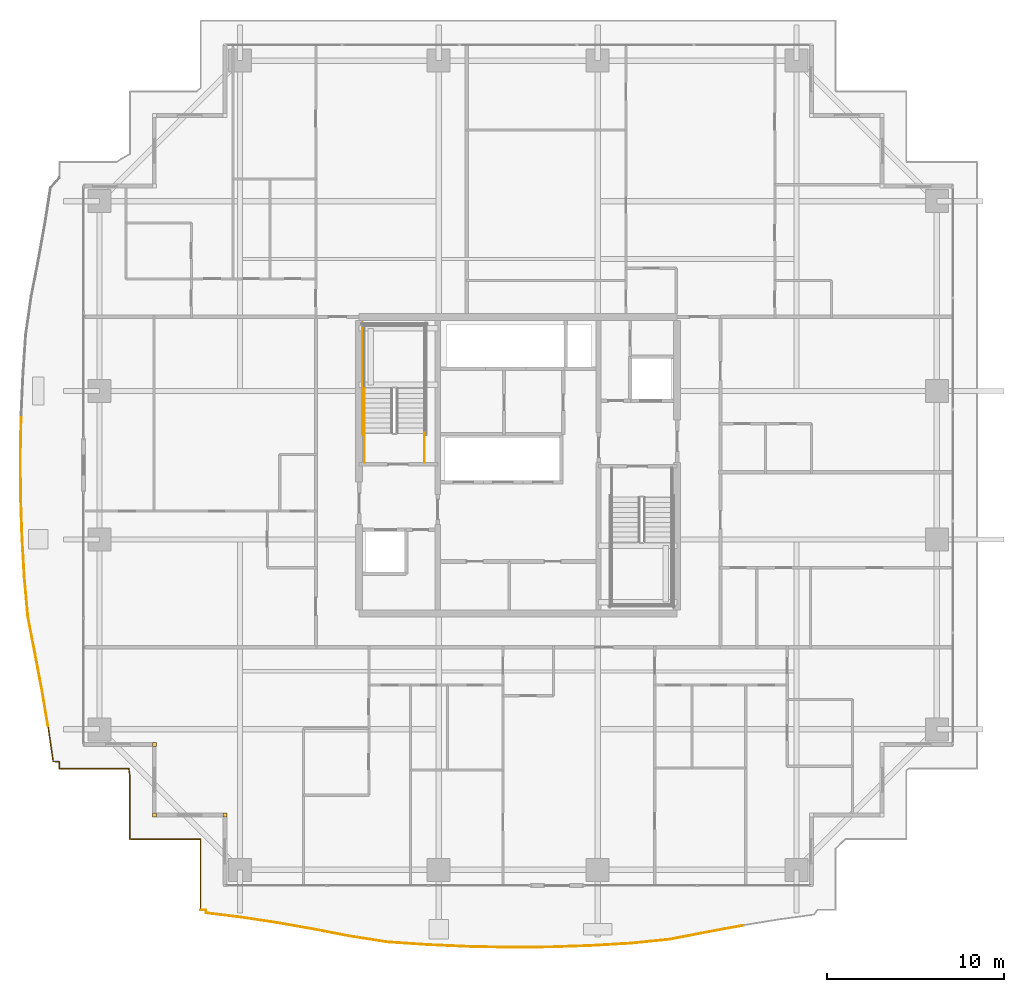
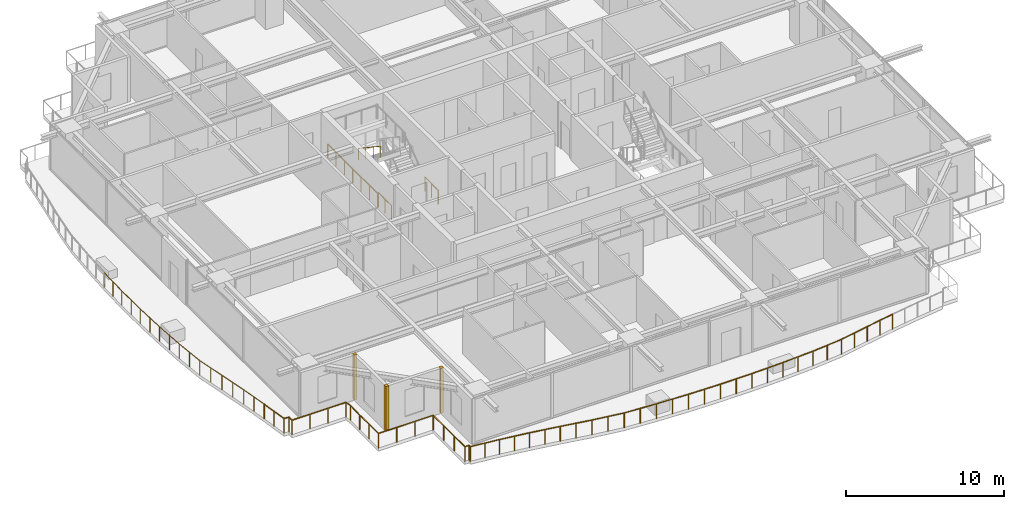
# One storey, part 30 of 34: 8 railings, 3 coverings.
"""IFC4 building model written with IfcOpenShell, lengths in metres."""

from ifc_helpers import new_model, si_unit, direction, frame, origin, origin_2d, place, context, subcontext, project, spatial, rectangle, circle, extrude, source, transform, mapped, material, layer, layer_set, type_object, element, save


model = new_model("IFC4")

# Units and contexts
model_context = context("Model", 3, precision=1e-05, world=origin(), true_north=direction((0.0, 1.0)))
body_context = subcontext(model_context, "Body", "Model", "MODEL_VIEW")
ifc_project = project(units=[si_unit("LENGTHUNIT", "METRE"), si_unit("AREAUNIT", "SQUARE_METRE"), si_unit("VOLUMEUNIT", "CUBIC_METRE"), si_unit("PLANEANGLEUNIT", "RADIAN"), si_unit("MASSUNIT", "GRAM", prefix="KILO")], contexts=[model_context])

# Site, building, storey
site_placement = place(None, origin())
site = spatial("IfcSite", under=ifc_project, at=site_placement, CompositionType="ELEMENT")
building_placement = place(site_placement, origin())
building = spatial("IfcBuilding", under=site, at=building_placement, Name="Serunith Strait Residences", CompositionType="ELEMENT")
storey_placement = place(building_placement, frame((0.0, 0.0, 187.64990234375)))
storey = spatial("IfcBuildingStorey", under=building, at=storey_placement, Name="L47", CompositionType="ELEMENT", Elevation=187.64990234375)

# Railings
ifc_material_1 = material(Name="Stainless Steel & Laminated Glass Balustrade", Category="steel")
railing_type_1 = type_object("IfcRailingType", Name="RLG-BALC-1150", PredefinedType="BALUSTRADE", material=ifc_material_1)
railing_1_placement = place(storey_placement, frame((14.419921875, 0.02001953125, -0.0498046875)))
element("IfcRailing", 1, at=railing_1_placement, inside=storey, type_object=railing_type_1, Name="L47 Swirling Balcony Perimeter Balustrade 1", PredefinedType="BALUSTRADE", context=body_context, shape_type="SweptSolid", body=[
    extrude(circle(Radius=0.02392578125, at=origin_2d()), frame((0.0, 0.001953125, 1.1259765625), z_axis=(0.0, 1.0, 0.0), x_axis=(-1.0, 0.0, 0.0)), (0.0, 0.0, 1.0), 3.99609375),
    extrude(circle(Radius=0.02392578125, at=origin_2d()), frame((-0.001953125, 4.0, 1.1259765625), z_axis=(-1.0, 0.0, 0.0), x_axis=(0.0, -1.0, 0.0)), (0.0, 0.0, 1.0), 3.99609375),
    extrude(circle(Radius=0.02392578125, at=origin_2d()), frame((-4.0, 4.001953125, 1.1259765625), z_axis=(0.0, 1.0, 0.0), x_axis=(-1.0, 0.0, 0.0)), (0.0, 0.0, 1.0), 3.547607421875),
    extrude(circle(Radius=0.02392578125, at=origin_2d()), frame((-4.000244140625, 7.553466796875, 1.1259765625), z_axis=(-0.148050860535, 0.988979748374, 0.0), x_axis=(-0.988979748374, -0.148050860535, 0.0)), (0.0, 0.0, 1.0), 0.449462890625),
    extrude(circle(Radius=0.02392578125, at=origin_2d()), frame((-4.069091796875, 8.0, 1.1259765625), z_axis=(-1.0, 0.0, 0.0), x_axis=(0.0, -1.0, 0.0)), (0.0, 0.0, 1.0), 3.928955078125),
    extrude(circle(Radius=0.02392578125, at=origin_2d()), frame((-8.0, 8.001953125, 1.1259765625), z_axis=(0.0, 1.0, 0.0), x_axis=(-1.0, 0.0, 0.0)), (0.0, 0.0, 1.0), 0.388671875),
    extrude(circle(Radius=0.02392578125, at=origin_2d()), frame((-8.001953125, 8.392578125, 1.1259765625), z_axis=(-0.998353067309, 0.057368571492, 0.0), x_axis=(-0.057368571492, -0.998353067309, 0.0)), (0.0, 0.0, 1.0), 0.344970703125),
    extrude(circle(Radius=0.02392578125, at=origin_2d()), frame((-8.3486328125, 8.41455078125, 1.1259765625), z_axis=(-0.141150651071, 0.989988128061, 0.0), x_axis=(-0.989988128061, -0.141150651071, 0.0)), (0.0, 0.0, 1.0), 2.01611328125),
    extrude(circle(Radius=0.02099609375, at=origin_2d()), origin(), (0.0, 0.0, 1.0), 1.099853515625),
    extrude(circle(Radius=0.02099609375, at=origin_2d()), frame((0.0, 1.333251953125, 0.0)), (0.0, 0.0, 1.0), 1.099853515625),
    extrude(circle(Radius=0.02099609375, at=origin_2d()), frame((0.0, 2.666748046875, 0.0)), (0.0, 0.0, 1.0), 1.099853515625),
    extrude(circle(Radius=0.02099609375, at=origin_2d()), frame((0.0, 4.0, 0.0)), (0.0, 0.0, 1.0), 1.099853515625),
    extrude(circle(Radius=0.02099609375, at=origin_2d()), frame((-1.333251953125, 4.0, 0.0)), (0.0, 0.0, 1.0), 1.099853515625),
    extrude(circle(Radius=0.02099609375, at=origin_2d()), frame((-2.666748046875, 4.0, 0.0)), (0.0, 0.0, 1.0), 1.099853515625),
    extrude(circle(Radius=0.02099609375, at=origin_2d()), frame((-4.0, 4.0, 0.0)), (0.0, 0.0, 1.0), 1.099853515625),
    extrude(circle(Radius=0.02099609375, at=origin_2d()), frame((-4.0, 5.183837890625, 0.0)), (0.0, 0.0, 1.0), 1.099853515625),
    extrude(circle(Radius=0.02099609375, at=origin_2d()), frame((-4.0, 6.36767578125, 0.0)), (0.0, 0.0, 1.0), 1.099853515625),
    extrude(circle(Radius=0.02099609375, at=origin_2d()), frame((-4.0, 7.551513671875, 0.0)), (0.0, 0.0, 1.0), 1.099853515625),
    extrude(circle(Radius=0.02099609375, at=origin_2d()), frame((-4.067138671875, 8.0, 0.0)), (0.0, 0.0, 1.0), 1.099853515625),
    extrude(circle(Radius=0.02099609375, at=origin_2d()), frame((-5.378173828125, 8.0, 0.0)), (0.0, 0.0, 1.0), 1.099853515625),
    extrude(circle(Radius=0.02099609375, at=origin_2d()), frame((-6.68896484375, 8.0, 0.0)), (0.0, 0.0, 1.0), 1.099853515625),
    extrude(circle(Radius=0.02099609375, at=origin_2d()), frame((-8.0, 8.0, 0.0)), (0.0, 0.0, 1.0), 1.099853515625),
    extrude(circle(Radius=0.02099609375, at=origin_2d()), frame((-8.0, 8.392578125, 0.0)), (0.0, 0.0, 1.0), 1.099853515625),
    extrude(circle(Radius=0.02099609375, at=origin_2d()), frame((-8.348388671875, 8.41259765625, 0.0)), (0.0, 0.0, 1.0), 1.099853515625),
    extrude(circle(Radius=0.02099609375, at=origin_2d()), frame((-8.490966796875, 9.41259765625, 0.0)), (0.0, 0.0, 1.0), 1.099853515625),
    extrude(circle(Radius=0.02099609375, at=origin_2d()), frame((-8.633544921875, 10.41259765625, 0.0)), (0.0, 0.0, 1.0), 1.099853515625),
])
railing_2_placement = place(storey_placement, frame((5.786376953125, 10.4326171875, -0.0498046875)))
element("IfcRailing", 2, at=railing_2_placement, inside=storey, type_object=railing_type_1, Name="L47 Swirling Balcony Perimeter Balustrade 2", PredefinedType="BALUSTRADE", context=body_context, shape_type="SweptSolid", body=[
    extrude(circle(Radius=0.02392578125, at=origin_2d()), frame((-0.000244140625, 0.001953125, 1.1259765625), z_axis=(-0.166446652276, 0.986050461156, 0.0), x_axis=(-0.986050461156, -0.166446652276, 0.0)), (0.0, 0.0, 1.0), 2.045166015625),
    extrude(circle(Radius=0.02392578125, at=origin_2d()), frame((-0.341552734375, 2.0224609375, 1.1259765625), z_axis=(-0.185119001729, 0.982716111193, 0.0), x_axis=(-0.982716111193, -0.185119001729, 0.0)), (0.0, 0.0, 1.0), 2.09033203125),
    extrude(circle(Radius=0.02392578125, at=origin_2d()), frame((-0.729248046875, 4.08056640625, 1.1259765625), z_axis=(-0.190053620548, 0.981773711869, 0.0), x_axis=(-0.981773711869, -0.190053620548, 0.0)), (0.0, 0.0, 1.0), 2.150146484375),
    extrude(circle(Radius=0.02392578125, at=origin_2d()), frame((-1.138427734375, 6.195556640625, 1.1259765625), z_axis=(-0.089975230269, 0.995944003415, 0.0), x_axis=(-0.995944003415, -0.089975230269, 0.0)), (0.0, 0.0, 1.0), 2.234619140625),
    extrude(circle(Radius=0.02392578125, at=origin_2d()), frame((-1.339599609375, 8.425048828125, 1.1259765625), z_axis=(-0.057489633796, 0.998346103316, 0.0), x_axis=(-0.998346103316, -0.057489633796, 0.0)), (0.0, 0.0, 1.0), 2.272216796875),
    extrude(circle(Radius=0.02392578125, at=origin_2d()), frame((-1.470458984375, 10.697509765625, 1.1259765625), z_axis=(-0.033774556181, 0.999429476929, 0.0), x_axis=(-0.999429476929, -0.033774556181, 0.0)), (0.0, 0.0, 1.0), 2.294677734375),
    extrude(circle(Radius=0.02392578125, at=origin_2d()), frame((-1.548095703125, 12.994873046875, 1.1259765625), z_axis=(-0.007083772357, 0.99997490977, 0.0), x_axis=(-0.99997490977, -0.007083772357, 0.0)), (0.0, 0.0, 1.0), 2.30517578125),
    extrude(circle(Radius=0.02392578125, at=origin_2d()), frame((-1.564453125, 15.303955078125, 1.1259765625), z_axis=(0.020012936591, 0.999799721129, 0.0), x_axis=(-0.999799721129, 0.020012936591, 0.0)), (0.0, 0.0, 1.0), 2.3017578125),
    extrude(circle(Radius=0.02099609375, at=origin_2d()), origin(), (0.0, 0.0, 1.0), 1.099853515625),
    extrude(circle(Radius=0.02099609375, at=origin_2d()), frame((-0.17041015625, 1.01025390625, 0.0)), (0.0, 0.0, 1.0), 1.099853515625),
    extrude(circle(Radius=0.02099609375, at=origin_2d()), frame((-0.341064453125, 2.0205078125, 0.0)), (0.0, 0.0, 1.0), 1.099853515625),
    extrude(circle(Radius=0.02099609375, at=origin_2d()), frame((-0.534912109375, 3.049560546875, 0.0)), (0.0, 0.0, 1.0), 1.099853515625),
    extrude(circle(Radius=0.02099609375, at=origin_2d()), frame((-0.728759765625, 4.07861328125, 0.0)), (0.0, 0.0, 1.0), 1.099853515625),
    extrude(circle(Radius=0.02099609375, at=origin_2d()), frame((-0.93359375, 5.13623046875, 0.0)), (0.0, 0.0, 1.0), 1.099853515625),
    extrude(circle(Radius=0.02099609375, at=origin_2d()), frame((-1.13818359375, 6.193603515625, 0.0)), (0.0, 0.0, 1.0), 1.099853515625),
    extrude(circle(Radius=0.02099609375, at=origin_2d()), frame((-1.23876953125, 7.308349609375, 0.0)), (0.0, 0.0, 1.0), 1.099853515625),
    extrude(circle(Radius=0.02099609375, at=origin_2d()), frame((-1.339599609375, 8.423095703125, 0.0)), (0.0, 0.0, 1.0), 1.099853515625),
    extrude(circle(Radius=0.02099609375, at=origin_2d()), frame((-1.405029296875, 9.559326171875, 0.0)), (0.0, 0.0, 1.0), 1.099853515625),
    extrude(circle(Radius=0.02099609375, at=origin_2d()), frame((-1.470458984375, 10.695556640625, 0.0)), (0.0, 0.0, 1.0), 1.099853515625),
    extrude(circle(Radius=0.02099609375, at=origin_2d()), frame((-1.50927734375, 11.84423828125, 0.0)), (0.0, 0.0, 1.0), 1.099853515625),
    extrude(circle(Radius=0.02099609375, at=origin_2d()), frame((-1.548095703125, 12.992919921875, 0.0)), (0.0, 0.0, 1.0), 1.099853515625),
    extrude(circle(Radius=0.02099609375, at=origin_2d()), frame((-1.55615234375, 14.1474609375, 0.0)), (0.0, 0.0, 1.0), 1.099853515625),
    extrude(circle(Radius=0.02099609375, at=origin_2d()), frame((-1.564453125, 15.302001953125, 0.0)), (0.0, 0.0, 1.0), 1.099853515625),
    extrude(circle(Radius=0.02099609375, at=origin_2d()), frame((-1.54150390625, 16.45458984375, 0.0)), (0.0, 0.0, 1.0), 1.099853515625),
    extrude(circle(Radius=0.02099609375, at=origin_2d()), frame((-1.518310546875, 17.607177734375, 0.0)), (0.0, 0.0, 1.0), 1.099853515625),
])
railing_3_placement = place(storey_placement, frame((45.1337890625, -0.851318359375, -0.0498046875)))
element("IfcRailing", 3, at=railing_3_placement, inside=storey, type_object=railing_type_1, Name="L47 Swirling Balcony Perimeter Balustrade 7", PredefinedType="BALUSTRADE", context=body_context, shape_type="SweptSolid", body=[
    extrude(circle(Radius=0.02392578125, at=origin_2d()), frame((-0.001953125, -0.000244140625, 1.1259765625), z_axis=(-0.983302150497, -0.181980440785, 0.0), x_axis=(0.181980440785, -0.983302150497, 0.0)), (0.0, 0.0, 1.0), 2.084716796875),
    extrude(circle(Radius=0.02392578125, at=origin_2d()), frame((-2.055908203125, -0.380615234375, 1.1259765625), z_axis=(-0.981895238701, -0.18942476136, 0.0), x_axis=(0.18942476136, -0.981895238701, 0.0)), (0.0, 0.0, 1.0), 2.14453125),
    extrude(circle(Radius=0.02392578125, at=origin_2d()), frame((-4.16552734375, -0.787353515625, 1.1259765625), z_axis=(-0.994837072176, -0.101484973396, 0.0), x_axis=(0.101484973396, -0.994837072176, 0.0)), (0.0, 0.0, 1.0), 2.228515625),
    extrude(circle(Radius=0.02392578125, at=origin_2d()), frame((-6.386474609375, -1.013671875, 1.1259765625), z_axis=(-0.998354018042, -0.057352024015, 0.0), x_axis=(0.057352024015, -0.998354018042, 0.0)), (0.0, 0.0, 1.0), 2.2734375),
    extrude(circle(Radius=0.02392578125, at=origin_2d()), frame((-8.66015625, -1.144287109375, 1.1259765625), z_axis=(-0.999430444937, -0.0337458995, 0.0), x_axis=(0.0337458995, -0.999430444937, 0.0)), (0.0, 0.0, 1.0), 2.296630859375),
    extrude(circle(Radius=0.02392578125, at=origin_2d()), frame((-10.95947265625, -1.221923828125, 1.1259765625), z_axis=(-0.999971878167, -0.007499525018, 0.0), x_axis=(0.007499525018, -0.999971878167, 0.0)), (0.0, 0.0, 1.0), 2.307373046875),
    extrude(circle(Radius=0.02392578125, at=origin_2d()), frame((-13.270751953125, -1.2392578125, 1.1259765625), z_axis=(-0.999808552626, 0.019566759995, 0.0), x_axis=(-0.019566759995, -0.999808552626, 0.0)), (0.0, 0.0, 1.0), 2.30419921875),
    extrude(circle(Radius=0.02392578125, at=origin_2d()), frame((-15.57861328125, -1.194091796875, 1.1259765625), z_axis=(-0.998998414803, 0.044745583259, 0.0), x_axis=(-0.044745583259, -0.998998414803, 0.0)), (0.0, 0.0, 1.0), 2.28759765625),
    extrude(circle(Radius=0.02099609375, at=origin_2d()), origin(), (0.0, 0.0, 1.0), 1.099853515625),
    extrude(circle(Radius=0.02099609375, at=origin_2d()), frame((-1.02685546875, -0.18994140625, 0.0)), (0.0, 0.0, 1.0), 1.099853515625),
    extrude(circle(Radius=0.02099609375, at=origin_2d()), frame((-2.053955078125, -0.380126953125, 0.0)), (0.0, 0.0, 1.0), 1.099853515625),
    extrude(circle(Radius=0.02099609375, at=origin_2d()), frame((-3.10888671875, -0.58349609375, 0.0)), (0.0, 0.0, 1.0), 1.099853515625),
    extrude(circle(Radius=0.02099609375, at=origin_2d()), frame((-4.16357421875, -0.787109375, 0.0)), (0.0, 0.0, 1.0), 1.099853515625),
    extrude(circle(Radius=0.02099609375, at=origin_2d()), frame((-5.27392578125, -0.900390625, 0.0)), (0.0, 0.0, 1.0), 1.099853515625),
    extrude(circle(Radius=0.02099609375, at=origin_2d()), frame((-6.384521484375, -1.013671875, 0.0)), (0.0, 0.0, 1.0), 1.099853515625),
    extrude(circle(Radius=0.02099609375, at=origin_2d()), frame((-7.521484375, -1.0791015625, 0.0)), (0.0, 0.0, 1.0), 1.099853515625),
    extrude(circle(Radius=0.02099609375, at=origin_2d()), frame((-8.658203125, -1.144287109375, 0.0)), (0.0, 0.0, 1.0), 1.099853515625),
    extrude(circle(Radius=0.02099609375, at=origin_2d()), frame((-9.807861328125, -1.18310546875, 0.0)), (0.0, 0.0, 1.0), 1.099853515625),
    extrude(circle(Radius=0.02099609375, at=origin_2d()), frame((-10.95751953125, -1.221923828125, 0.0)), (0.0, 0.0, 1.0), 1.099853515625),
    extrude(circle(Radius=0.02099609375, at=origin_2d()), frame((-12.11328125, -1.23046875, 0.0)), (0.0, 0.0, 1.0), 1.099853515625),
    extrude(circle(Radius=0.02099609375, at=origin_2d()), frame((-13.268798828125, -1.2392578125, 0.0)), (0.0, 0.0, 1.0), 1.099853515625),
    extrude(circle(Radius=0.02099609375, at=origin_2d()), frame((-14.4228515625, -1.216796875, 0.0)), (0.0, 0.0, 1.0), 1.099853515625),
    extrude(circle(Radius=0.02099609375, at=origin_2d()), frame((-15.57666015625, -1.194091796875, 0.0)), (0.0, 0.0, 1.0), 1.099853515625),
    extrude(circle(Radius=0.02099609375, at=origin_2d()), frame((-16.72119140625, -1.142822265625, 0.0)), (0.0, 0.0, 1.0), 1.099853515625),
    extrude(circle(Radius=0.02099609375, at=origin_2d()), frame((-17.865966796875, -1.091552734375, 0.0)), (0.0, 0.0, 1.0), 1.099853515625),
])
railing_4_placement = place(storey_placement, frame((27.267822265625, -1.94287109375, -0.0498046875)))
element("IfcRailing", 4, at=railing_4_placement, inside=storey, type_object=railing_type_1, Name="L47 Swirling Balcony Perimeter Balustrade 8", PredefinedType="BALUSTRADE", context=body_context, shape_type="SweptSolid", body=[
    extrude(circle(Radius=0.02392578125, at=origin_2d()), frame((-0.001953125, 0.000244140625, 1.1259765625), z_axis=(-0.997790404454, 0.066440264744, 0.0), x_axis=(-0.066440264744, -0.997790404454, 0.0)), (0.0, 0.0, 1.0), 2.259521484375),
    extrude(circle(Radius=0.02392578125, at=origin_2d()), frame((-2.260498046875, 0.150634765625, 1.1259765625), z_axis=(-0.98783511439, 0.155504941327, 0.0), x_axis=(-0.155504941327, -0.98783511439, 0.0)), (0.0, 0.0, 1.0), 2.187744140625),
    extrude(circle(Radius=0.02392578125, at=origin_2d()), frame((-4.425537109375, 0.49169921875, 1.1259765625), z_axis=(-0.982147494675, 0.188112462914, 0.0), x_axis=(-0.188112462914, -0.982147494675, 0.0)), (0.0, 0.0, 1.0), 2.115478515625),
    extrude(circle(Radius=0.02392578125, at=origin_2d()), frame((-6.507080078125, 0.89013671875, 1.1259765625), z_axis=(-0.984781179864, 0.173798814107, 0.0), x_axis=(-0.173798814107, -0.984781179864, 0.0)), (0.0, 0.0, 1.0), 2.062255859375),
    extrude(circle(Radius=0.02392578125, at=origin_2d()), frame((-8.5419921875, 1.249267578125, 1.1259765625), z_axis=(-0.988713885169, 0.149816064808, 0.0), x_axis=(-0.149816064808, -0.988713885169, 0.0)), (0.0, 0.0, 1.0), 2.0263671875),
    extrude(circle(Radius=0.02392578125, at=origin_2d()), frame((-10.549560546875, 1.553466796875, 1.1259765625), z_axis=(-0.992443169744, 0.122705154043, 0.0), x_axis=(-0.122705154043, -0.992443169744, 0.0)), (0.0, 0.0, 1.0), 2.007568359375),
    extrude(circle(Radius=0.02392578125, at=origin_2d()), frame((-12.5439453125, 1.802001953125, 1.1259765625), z_axis=(0.007496041262, 0.999971904288, 0.0), x_axis=(-0.999971904288, 0.007496041262, 0.0)), (0.0, 0.0, 1.0), 0.158935546875),
    extrude(circle(Radius=0.02392578125, at=origin_2d()), frame((-12.544677734375, 1.962890625, 1.1259765625), z_axis=(-1.0, 0.0, 0.0), x_axis=(0.0, -1.0, 0.0)), (0.0, 0.0, 1.0), 0.30126953125),
    extrude(circle(Radius=0.02099609375, at=origin_2d()), origin(), (0.0, 0.0, 1.0), 1.099853515625),
    extrude(circle(Radius=0.02099609375, at=origin_2d()), frame((-1.12939453125, 0.0751953125, 0.0)), (0.0, 0.0, 1.0), 1.099853515625),
    extrude(circle(Radius=0.02099609375, at=origin_2d()), frame((-2.258544921875, 0.150390625, 0.0)), (0.0, 0.0, 1.0), 1.099853515625),
    extrude(circle(Radius=0.02099609375, at=origin_2d()), frame((-3.341064453125, 0.32080078125, 0.0)), (0.0, 0.0, 1.0), 1.099853515625),
    extrude(circle(Radius=0.02099609375, at=origin_2d()), frame((-4.423583984375, 0.4912109375, 0.0)), (0.0, 0.0, 1.0), 1.099853515625),
    extrude(circle(Radius=0.02099609375, at=origin_2d()), frame((-5.46435546875, 0.6904296875, 0.0)), (0.0, 0.0, 1.0), 1.099853515625),
    extrude(circle(Radius=0.02099609375, at=origin_2d()), frame((-6.505126953125, 0.889892578125, 0.0)), (0.0, 0.0, 1.0), 1.099853515625),
    extrude(circle(Radius=0.02099609375, at=origin_2d()), frame((-7.5224609375, 1.0693359375, 0.0)), (0.0, 0.0, 1.0), 1.099853515625),
    extrude(circle(Radius=0.02099609375, at=origin_2d()), frame((-8.5400390625, 1.2490234375, 0.0)), (0.0, 0.0, 1.0), 1.099853515625),
    extrude(circle(Radius=0.02099609375, at=origin_2d()), frame((-9.5439453125, 1.401123046875, 0.0)), (0.0, 0.0, 1.0), 1.099853515625),
    extrude(circle(Radius=0.02099609375, at=origin_2d()), frame((-10.547607421875, 1.55322265625, 0.0)), (0.0, 0.0, 1.0), 1.099853515625),
    extrude(circle(Radius=0.02099609375, at=origin_2d()), frame((-11.5458984375, 1.6767578125, 0.0)), (0.0, 0.0, 1.0), 1.099853515625),
    extrude(circle(Radius=0.02099609375, at=origin_2d()), frame((-12.5439453125, 1.800048828125, 0.0)), (0.0, 0.0, 1.0), 1.099853515625),
    extrude(circle(Radius=0.02099609375, at=origin_2d()), frame((-12.542724609375, 1.962890625, 0.0)), (0.0, 0.0, 1.0), 1.099853515625),
    extrude(circle(Radius=0.02099609375, at=origin_2d()), frame((-12.847900390625, 1.962890625, 0.0)), (0.0, 0.0, 1.0), 1.099853515625),
])
ifc_material_2 = material(Name="Brushed stainless steel 316L", Category="steel")
railing_type_2 = type_object("IfcRailingType", Name="RLG-STAIR-GUARD", PredefinedType="BALUSTRADE", material=ifc_material_2)
for number, where, name in (
    (5, (27.10009765625, 25.35009765625, 0.0), "L47 ST-1 stair guard 8"),
    (6, (23.699951171875, 25.35009765625, 0.0), "L47 ST-1 stair guard 9"),
):
    element("IfcRailing", number, at=place(storey_placement, frame(where)), inside=storey, type_object=railing_type_2, Name=name, PredefinedType="BALUSTRADE", context=body_context, shape_type="SweptSolid", body=[
        extrude(circle(Radius=0.02392578125, at=origin_2d()), frame((0.0, 0.001953125, 1.076171875), z_axis=(0.0, 1.0, 0.0), x_axis=(-1.0, 0.0, 0.0)), (0.0, 0.0, 1.0), 1.676025390625),
        extrude(circle(Radius=0.02099609375, at=origin_2d()), origin(), (0.0, 0.0, 1.0), 1.050048828125),
        extrude(circle(Radius=0.02099609375, at=origin_2d()), frame((0.0, 0.83984375, 0.0)), (0.0, 0.0, 1.0), 1.050048828125),
        extrude(circle(Radius=0.02099609375, at=origin_2d()), frame((0.0, 1.679931640625, 0.0)), (0.0, 0.0, 1.0), 1.050048828125),
    ])
railing_5_placement = place(storey_placement, frame((23.60009765625, 26.929931640625, 0.0)))
element("IfcRailing", 7, at=railing_5_placement, inside=storey, type_object=railing_type_2, Name="L47 ST-1 stair guard 11", PredefinedType="BALUSTRADE", context=body_context, shape_type="SweptSolid", body=[
    extrude(circle(Radius=0.02392578125, at=origin_2d()), frame((0.0, 0.001953125, 1.076171875), z_axis=(0.0, 1.0, 0.0), x_axis=(-1.0, 0.0, 0.0)), (0.0, 0.0, 1.0), 6.316162109375),
    extrude(circle(Radius=0.02099609375, at=origin_2d()), origin(), (0.0, 0.0, 1.0), 1.050048828125),
    extrude(circle(Radius=0.02099609375, at=origin_2d()), frame((0.0, 1.05322265625, 0.0)), (0.0, 0.0, 1.0), 1.050048828125),
    extrude(circle(Radius=0.02099609375, at=origin_2d()), frame((0.0, 2.106689453125, 0.0)), (0.0, 0.0, 1.0), 1.050048828125),
    extrude(circle(Radius=0.02099609375, at=origin_2d()), frame((0.0, 3.16015625, 0.0)), (0.0, 0.0, 1.0), 1.050048828125),
    extrude(circle(Radius=0.02099609375, at=origin_2d()), frame((0.0, 4.21337890625, 0.0)), (0.0, 0.0, 1.0), 1.050048828125),
    extrude(circle(Radius=0.02099609375, at=origin_2d()), frame((0.0, 5.2666015625, 0.0)), (0.0, 0.0, 1.0), 1.050048828125),
    extrude(circle(Radius=0.02099609375, at=origin_2d()), frame((0.0, 6.320068359375, 0.0)), (0.0, 0.0, 1.0), 1.050048828125),
])
railing_type_3 = type_object("IfcRailingType", Name="RLG-STAIR-HR", PredefinedType="HANDRAIL", material=ifc_material_2)
railing_6_placement = place(storey_placement, frame((23.699951171875, 29.550048828125, 2.0625)))
element("IfcRailing", 8, at=railing_6_placement, inside=storey, type_object=railing_type_3, Name="L47 ST-1 stair handrail 2", PredefinedType="HANDRAIL", context=body_context, shape_type="SweptSolid", body=[
    extrude(circle(Radius=0.02392578125, at=origin_2d()), frame((0.0, -0.001708984375, 0.876953125), z_axis=(0.0, -0.830208209119, 0.557453432594), x_axis=(1.0, 0.0, 0.0)), (0.0, 0.0, 1.0), 3.36865234375),
    extrude(circle(Radius=0.02099609375, at=origin_2d()), origin(), (0.0, 0.0, 1.0), 0.849853515625),
    extrude(circle(Radius=0.02099609375, at=origin_2d()), frame((0.0, -0.933349609375, 0.626708984375)), (0.0, 0.0, 1.0), 0.849853515625),
    extrude(circle(Radius=0.02099609375, at=origin_2d()), frame((0.0, -1.86669921875, 1.25341796875)), (0.0, 0.0, 1.0), 0.849853515625),
    extrude(circle(Radius=0.02099609375, at=origin_2d()), frame((0.0, -2.800048828125, 1.880126953125)), (0.0, 0.0, 1.0), 0.849853515625),
])

# Coverings
ifc_material_3 = material(Name="Pale-Champagne Anodised Aluminium", Category="aluminium")
ifc_layer = layer(ifc_material_3, 0.219970703125, Name="Pale-Champagne Anodised Aluminium")
ifc_layer_set = layer_set([ifc_layer], Name="Pale-Champagne Anodised Aluminium")
covering_type = type_object("IfcCoveringType", Name="COV-CORN-TRIM", PredefinedType="CLADDING", material=ifc_layer_set)
shared_shape = source(origin(), body_context, "Body", "SweptSolid", [
    extrude(rectangle(XDim=0.221923828125, YDim=0.221923828125, at=origin_2d()), origin(), (0.0, 0.0, 1.0), 3.47509765625),
])
for number, where, z_axis, x_axis, name in (
    (9, (11.800048828125, 9.39990234375, 0.0), (0.0, 0.0, 1.0), (1.0, 0.0, 0.0), "L47 Girih Serrated Corner Trim Post 17"),
    (10, (11.800048828125, 5.39990234375, 0.0), (0.0, 0.0, 1.0), (1.0, 0.0, 0.0), "L47 Girih Serrated Corner Trim Post 18"),
    (11, (15.800048828125, 5.39990234375, 0.0), (0.0, 0.0, 1.0), (1.0, 0.0, 0.0), "L47 Girih Serrated Corner Trim Post 19"),
):
    element("IfcCovering", number, at=place(storey_placement, frame(where, z_axis=z_axis, x_axis=x_axis)), inside=storey, type_object=covering_type, Name=name, PredefinedType="CLADDING", context=body_context, shape_type="MappedRepresentation", body=[
        mapped(shared_shape, transform((0.0, 0.0, 0.0), scale=1.0)),
    ])

save(model, "model.ifc")
